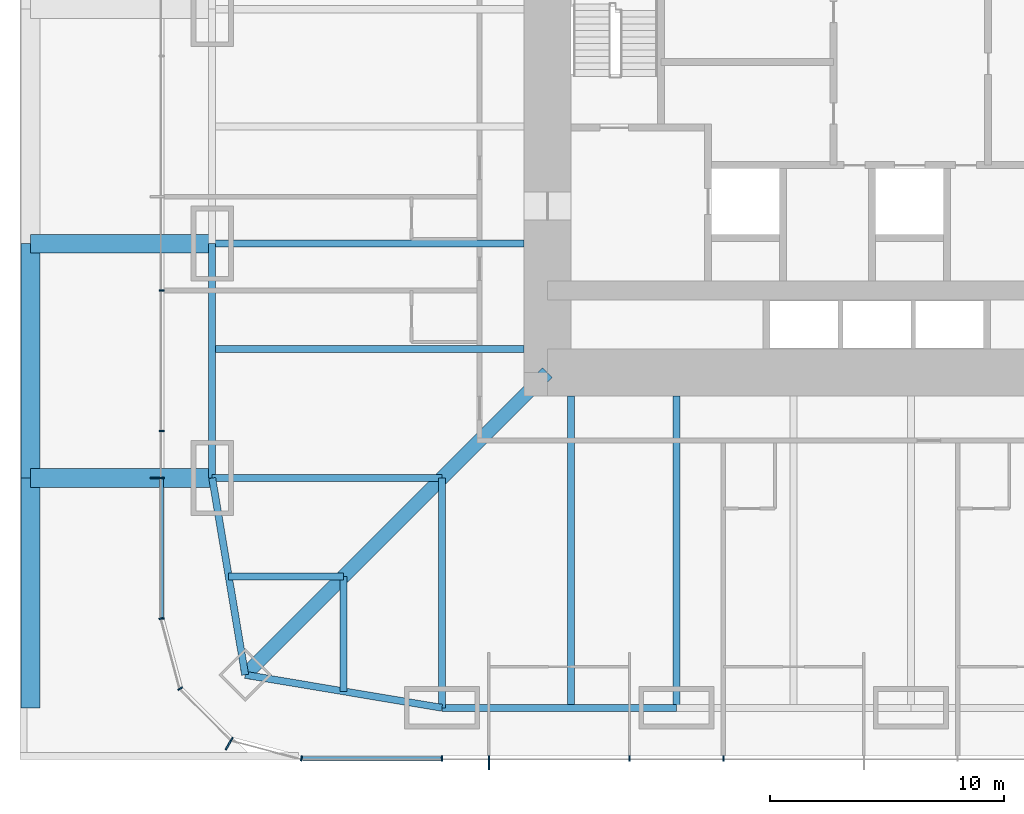
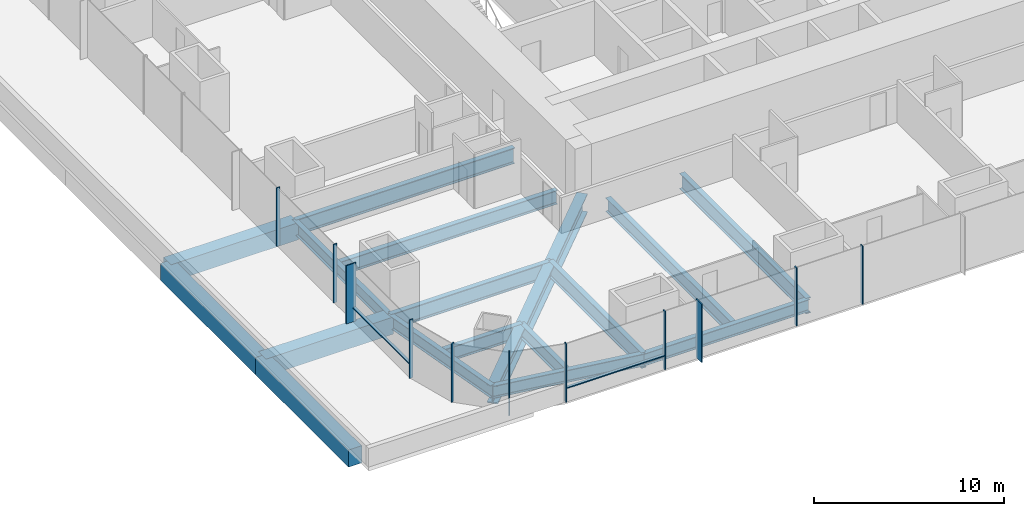
# One storey, part 2 of 20: 17 beams, 13 members, 3 elements without a shape of their own.
"""IFC4 building model written with IfcOpenShell, lengths in metres."""

from ifc_helpers import new_model, si_unit, direction, frame, origin, origin_2d, place, context, subcontext, project, spatial, rectangle, i_section, extrude, material, material_profile, profile_set, type_object, element, aggregate, save


model = new_model("IFC4")

# Units and contexts
model_context = context("Model", 3, precision=1e-05, world=origin(), true_north=direction((0.0, 1.0)))
body_context = subcontext(model_context, "Body", "Model", "MODEL_VIEW")
ifc_project = project(units=[si_unit("LENGTHUNIT", "METRE"), si_unit("AREAUNIT", "SQUARE_METRE"), si_unit("VOLUMEUNIT", "CUBIC_METRE"), si_unit("PLANEANGLEUNIT", "RADIAN"), si_unit("MASSUNIT", "GRAM", prefix="KILO")], contexts=[model_context])

# Site, building, storey
site_placement = place(None, origin())
site = spatial("IfcSite", under=ifc_project, at=site_placement, CompositionType="ELEMENT")
building_placement = place(site_placement, origin())
building = spatial("IfcBuilding", under=site, at=building_placement, Name="Khuree Lantern Residences", CompositionType="ELEMENT")
storey_placement = place(building_placement, frame((0.0, 0.0, 21.0)))
storey = spatial("IfcBuildingStorey", under=building, at=storey_placement, Name="L04", CompositionType="ELEMENT", Elevation=21.0)

# Beams
ifc_material_1 = material(Name="Steel S355", Category="steel")
ifc_material_profile_1 = material_profile(ifc_material_1, i_section(OverallWidth=0.300048828125, OverallDepth=0.889892578125, WebThickness=0.01611328125, FlangeThickness=0.030029296875, FilletRadius=0.030029296875, at=origin_2d()), Name="HE 900 A")
ifc_profile_set_1 = profile_set([ifc_material_profile_1], Name="Steel S355")
beam_type_1 = type_object("IfcBeamType", Name="B-11 SECONDARY BEAM HE 900 A", PredefinedType="BEAM", material=ifc_profile_set_1)
beam_1_placement = place(storey_placement, frame((-14.5, -29.800048828125, -0.695068359375), z_axis=(0.0, 1.0, 0.0), x_axis=(-1.0, 0.0, 0.0)))
element("IfcBeam", 1, at=beam_1_placement, inside=storey, type_object=beam_type_1, Name="Secondary beam S5", PredefinedType="BEAM", context=body_context, shape_type="SweptSolid", body=[
    extrude(i_section(OverallWidth=0.300048828125, OverallDepth=0.889892578125, WebThickness=0.01611328125, FlangeThickness=0.030029296875, FilletRadius=0.030029296875, at=origin_2d()), origin(), (0.0, 0.0, 1.0), 13.300048828125),
])
for number, where, z_axis, x_axis, name in (
    (2, (-24.197021484375, -29.09716796875, -0.695068359375), (0.0, 1.0, 0.0), (-1.0, 0.0, 0.0), "Secondary beam S6"),
    (3, (-29.09716796875, -24.197021484375, -0.695068359375), (1.0, 0.0, 0.0), (0.0, 1.0, 0.0), "Secondary beam W1"),
):
    element("IfcBeam", number, at=place(storey_placement, frame(where, z_axis=z_axis, x_axis=x_axis)), inside=storey, type_object=beam_type_1, Name=name, PredefinedType="BEAM", context=body_context, shape_type="SweptSolid", body=[
        extrude(i_section(OverallWidth=0.300048828125, OverallDepth=0.889892578125, WebThickness=0.01611328125, FlangeThickness=0.030029296875, FilletRadius=0.030029296875, at=origin_2d()), origin(), (0.0, 0.0, 1.0), 4.900146484375),
    ])
beam_2_placement = place(storey_placement, frame((-29.800048828125, -14.5, -0.695068359375), z_axis=(1.0, 0.0, 0.0), x_axis=(0.0, 1.0, 0.0)))
element("IfcBeam", 4, at=beam_2_placement, inside=storey, type_object=beam_type_1, Name="Secondary beam W2", PredefinedType="BEAM", context=body_context, shape_type="SweptSolid", body=[
    extrude(i_section(OverallWidth=0.300048828125, OverallDepth=0.889892578125, WebThickness=0.01611328125, FlangeThickness=0.030029296875, FilletRadius=0.030029296875, at=origin_2d()), origin(), (0.0, 0.0, 1.0), 13.300048828125),
])
ifc_material_profile_2 = material_profile(ifc_material_1, i_section(OverallWidth=0.300048828125, OverallDepth=0.7900390625, WebThickness=0.014892578125, FlangeThickness=0.028076171875, FilletRadius=0.030029296875, at=origin_2d()), Name="HE 800 A")
ifc_profile_set_2 = profile_set([ifc_material_profile_2], Name="Steel S355")
beam_type_2 = type_object("IfcBeamType", Name="E-11 SPANDREL BEAM HE 800 A", PredefinedType="SPANDREL", material=ifc_profile_set_2)
beam_3_placement = place(storey_placement, frame((-10.0, -29.800048828125, -0.64501953125), z_axis=(-1.0, 0.0, 0.0), x_axis=(0.0, -1.0, 0.0)))
element("IfcBeam", 5, at=beam_3_placement, inside=storey, type_object=beam_type_2, Name="Spandrel beam S5", PredefinedType="SPANDREL", context=body_context, shape_type="SweptSolid", body=[
    extrude(i_section(OverallWidth=0.300048828125, OverallDepth=0.7900390625, WebThickness=0.014892578125, FlangeThickness=0.028076171875, FilletRadius=0.030029296875, at=origin_2d()), origin(), (0.0, 0.0, 1.0), 10.0),
])
for number, where, z_axis, x_axis, name in (
    (6, (-20.0, -29.800048828125, -0.64501953125), (-0.986260251158, 0.165199022349, 0.0), (-0.165199022349, -0.986260251158, 0.0), "Spandrel beam S6"),
    (7, (-28.39404296875, -28.39404296875, -0.64501953125), (-0.165199022349, 0.986260251158, 0.0), (-0.986260251158, -0.165199022349, 0.0), "Spandrel beam W1"),
):
    element("IfcBeam", number, at=place(storey_placement, frame(where, z_axis=z_axis, x_axis=x_axis)), inside=storey, type_object=beam_type_2, Name=name, PredefinedType="SPANDREL", context=body_context, shape_type="SweptSolid", body=[
        extrude(i_section(OverallWidth=0.300048828125, OverallDepth=0.7900390625, WebThickness=0.014892578125, FlangeThickness=0.028076171875, FilletRadius=0.030029296875, at=origin_2d()), origin(), (0.0, 0.0, 1.0), 8.510986328125),
    ])
beam_4_placement = place(storey_placement, frame((-29.800048828125, -20.0, -0.64501953125), z_axis=(0.0, 1.0, 0.0), x_axis=(-1.0, 0.0, 0.0)))
element("IfcBeam", 8, at=beam_4_placement, inside=storey, type_object=beam_type_2, Name="Spandrel beam W2", PredefinedType="SPANDREL", context=body_context, shape_type="SweptSolid", body=[
    extrude(i_section(OverallWidth=0.300048828125, OverallDepth=0.7900390625, WebThickness=0.014892578125, FlangeThickness=0.028076171875, FilletRadius=0.030029296875, at=origin_2d()), origin(), (0.0, 0.0, 1.0), 10.0),
])

# Curtain wall, member
ifc_material_2 = material(Name="Bronze anodised aluminium", Category="aluminium")
curtain_wall_type_1 = type_object("IfcCurtainWallType", Name="CW-T1 TOWER FACE CURTAIN WALL", PredefinedType="USERDEFINED", material=ifc_material_2)
curtain_wall_1_placement = place(storey_placement, origin())
curtain_wall_1 = element("IfcCurtainWall", 9, at=curtain_wall_1_placement, inside=storey, type_object=curtain_wall_type_1, Name="L04 WEST FACE CURTAIN WALL", ObjectType="Stick-built curtain wall", PredefinedType="USERDEFINED")
ifc_material_profile_3 = material_profile(ifc_material_2, rectangle(XDim=0.06494140625, YDim=0.60009765625, at=origin_2d()), Name="F1 65X600")
ifc_profile_set_3 = profile_set([ifc_material_profile_3], Name="Bronze anodised aluminium")
member_type_1 = type_object("IfcMemberType", Name="F1 BRONZE FIN MULLION TOWER 65X600", PredefinedType="MULLION", material=ifc_profile_set_3)
member_1_placement = place(storey_placement, frame((-32.14990234375, -20.0, 0.0), z_axis=(0.0, 0.0, 1.0), x_axis=(0.0, -1.0, 0.0)))
member_1 = element("IfcMember", 10, at=member_1_placement, type_object=member_type_1, Name="L04 WEST FACE FIN MULLION 42", PredefinedType="MULLION", context=body_context, shape_type="SweptSolid", body=[
    extrude(rectangle(XDim=0.06494140625, YDim=0.60009765625, at=origin_2d()), origin(), (0.0, 0.0, 1.0), 3.75),
])

curtain_wall_type_2 = type_object("IfcCurtainWallType", Name="CW-T2 TOWER CORNER CURTAIN WALL", PredefinedType="USERDEFINED", material=ifc_material_2)
curtain_wall_2_placement = place(storey_placement, origin())
curtain_wall_2 = element("IfcCurtainWall", 11, at=curtain_wall_2_placement, inside=storey, type_object=curtain_wall_type_2, Name="L04 SOUTH-WEST CORNER CURTAIN WALL", ObjectType="Faceted corner curtain wall", PredefinedType="USERDEFINED")
member_2_placement = place(storey_placement, frame((-29.074951171875, -31.326171875, 0.0), z_axis=(0.0, 0.0, 1.0), x_axis=(0.86602537092, -0.500000056923, 0.0)))
member_2 = element("IfcMember", 12, at=member_2_placement, type_object=member_type_1, Name="L04 SOUTH-WEST CORNER FIN MULLION 45", PredefinedType="MULLION", context=body_context, shape_type="SweptSolid", body=[
    extrude(rectangle(XDim=0.06494140625, YDim=0.60009765625, at=origin_2d()), origin(), (0.0, 0.0, 1.0), 3.75),
])

curtain_wall_3_placement = place(storey_placement, origin())
curtain_wall_3 = element("IfcCurtainWall", 13, at=curtain_wall_3_placement, inside=storey, type_object=curtain_wall_type_1, Name="L04 SOUTH FACE CURTAIN WALL", ObjectType="Stick-built curtain wall", PredefinedType="USERDEFINED")
member_3_placement = place(storey_placement, frame((-18.0, -32.14990234375, 0.0), z_axis=(0.0, 0.0, 1.0), x_axis=(1.0, 0.0, 0.0)))
member_3 = element("IfcMember", 14, at=member_3_placement, type_object=member_type_1, Name="L04 SOUTH FACE FIN MULLION 48", PredefinedType="MULLION", context=body_context, shape_type="SweptSolid", body=[
    extrude(rectangle(XDim=0.06494140625, YDim=0.60009765625, at=origin_2d()), origin(), (0.0, 0.0, 1.0), 3.75),
])

# Beams
ifc_material_profile_4 = material_profile(ifc_material_1, i_section(OverallWidth=0.302001953125, OverallDepth=1.008056640625, WebThickness=0.02099609375, FlangeThickness=0.0400390625, FilletRadius=0.030029296875, at=origin_2d()), Name="HE 1000 M")
ifc_profile_set_4 = profile_set([ifc_material_profile_4], Name="Steel S355")
beam_type_3 = type_object("IfcBeamType", Name="G-11 GIRDER HE 1000 M", PredefinedType="BEAM", material=ifc_profile_set_4)
beam_5_placement = place(storey_placement, frame((-10.0, -29.800048828125, -0.75390625), z_axis=(0.0, 1.0, 0.0), x_axis=(-1.0, 0.0, 0.0)))
element("IfcBeam", 15, at=beam_5_placement, inside=storey, type_object=beam_type_3, Name="Girder S4", PredefinedType="BEAM", context=body_context, shape_type="SweptSolid", body=[
    extrude(i_section(OverallWidth=0.302001953125, OverallDepth=1.008056640625, WebThickness=0.02099609375, FlangeThickness=0.0400390625, FilletRadius=0.030029296875, at=origin_2d()), origin(), (0.0, 0.0, 1.0), 13.300048828125),
])
for number, where, z_axis, x_axis, name in (
    (16, (-20.0, -29.800048828125, -0.75390625), (0.0, 1.0, 0.0), (-1.0, 0.0, 0.0), "Girder S5"),
    (17, (-29.800048828125, -20.0, -0.75390625), (1.0, 0.0, 0.0), (0.0, 1.0, 0.0), "Girder W1"),
):
    element("IfcBeam", number, at=place(storey_placement, frame(where, z_axis=z_axis, x_axis=x_axis)), inside=storey, type_object=beam_type_3, Name=name, PredefinedType="BEAM", context=body_context, shape_type="SweptSolid", body=[
        extrude(i_section(OverallWidth=0.302001953125, OverallDepth=1.008056640625, WebThickness=0.02099609375, FlangeThickness=0.0400390625, FilletRadius=0.030029296875, at=origin_2d()), origin(), (0.0, 0.0, 1.0), 9.800048828125),
    ])
beam_6_placement = place(storey_placement, frame((-29.800048828125, -10.0, -0.75390625), z_axis=(1.0, 0.0, 0.0), x_axis=(0.0, 1.0, 0.0)))
element("IfcBeam", 18, at=beam_6_placement, inside=storey, type_object=beam_type_3, Name="Girder W2", PredefinedType="BEAM", context=body_context, shape_type="SweptSolid", body=[
    extrude(i_section(OverallWidth=0.302001953125, OverallDepth=1.008056640625, WebThickness=0.02099609375, FlangeThickness=0.0400390625, FilletRadius=0.030029296875, at=origin_2d()), origin(), (0.0, 0.0, 1.0), 13.300048828125),
])
ifc_material_profile_5 = material_profile(ifc_material_1, i_section(OverallWidth=0.60009765625, OverallDepth=1.199951171875, WebThickness=0.030029296875, FlangeThickness=0.06005859375, at=origin_2d()), Name="WELDED I 1200X600X30X60")
ifc_profile_set_5 = profile_set([ifc_material_profile_5], Name="Steel S355")
beam_type_4 = type_object("IfcBeamType", Name="GD-11 CORNER GIRDER WELDED I 1200X600X30X60", PredefinedType="BEAM", material=ifc_profile_set_5)
beam_7_placement = place(storey_placement, frame((-28.39404296875, -28.39404296875, -0.85009765625), z_axis=(0.707106781187, 0.707106781187, 0.0), x_axis=(-0.707106781187, 0.707106781187, 0.0)))
element("IfcBeam", 19, at=beam_7_placement, inside=storey, type_object=beam_type_4, Name="Corner girder SW", PredefinedType="BEAM", context=body_context, shape_type="SweptSolid", body=[
    extrude(i_section(OverallWidth=0.60009765625, OverallDepth=1.199951171875, WebThickness=0.030029296875, FlangeThickness=0.06005859375, at=origin_2d()), origin(), (0.0, 0.0, 1.0), 18.23486328125),
])

# Member
ifc_material_profile_6 = material_profile(ifc_material_2, rectangle(XDim=0.06494140625, YDim=0.219970703125, at=origin_2d()), Name="M1 65X220")
ifc_profile_set_6 = profile_set([ifc_material_profile_6], Name="Bronze anodised aluminium")
member_type_2 = type_object("IfcMemberType", Name="M1 BRONZE MULLION TOWER 65X220", PredefinedType="MULLION", material=ifc_profile_set_6)
member_4_placement = place(storey_placement, frame((-31.9599609375, -12.0, 0.0), z_axis=(0.0, 0.0, 1.0), x_axis=(0.0, -1.0, 0.0)))
member_4 = element("IfcMember", 20, at=member_4_placement, type_object=member_type_2, Name="L04 WEST FACE MULLION 40", PredefinedType="MULLION", context=body_context, shape_type="SweptSolid", body=[
    extrude(rectangle(XDim=0.06494140625, YDim=0.219970703125, at=origin_2d()), origin(), (0.0, 0.0, 1.0), 3.75),
])

member_5_placement = place(storey_placement, frame((-31.9599609375, -18.0, 0.0), z_axis=(0.0, 0.0, 1.0), x_axis=(0.0, -1.0, 0.0)))
member_5 = element("IfcMember", 21, at=member_5_placement, type_object=member_type_2, Name="L04 WEST FACE MULLION 41", PredefinedType="MULLION", context=body_context, shape_type="SweptSolid", body=[
    extrude(rectangle(XDim=0.06494140625, YDim=0.219970703125, at=origin_2d()), origin(), (0.0, 0.0, 1.0), 3.75),
])

member_6_placement = place(storey_placement, frame((-31.961669921875, -25.994873046875, 0.0), z_axis=(0.0, 0.0, 1.0), x_axis=(0.130526257387, -0.991444852794, 0.0)))
member_6 = element("IfcMember", 22, at=member_6_placement, type_object=member_type_2, Name="L04 SOUTH-WEST CORNER MULLION 43", PredefinedType="MULLION", context=body_context, shape_type="SweptSolid", body=[
    extrude(rectangle(XDim=0.06494140625, YDim=0.219970703125, at=origin_2d()), origin(), (0.0, 0.0, 1.0), 3.75),
])

member_7_placement = place(storey_placement, frame((-31.16162109375, -28.97998046875, 0.0), z_axis=(0.0, 0.0, 1.0), x_axis=(0.500000056923, -0.86602537092, 0.0)))
member_7 = element("IfcMember", 23, at=member_7_placement, type_object=member_type_2, Name="L04 SOUTH-WEST CORNER MULLION 44", PredefinedType="MULLION", context=body_context, shape_type="SweptSolid", body=[
    extrude(rectangle(XDim=0.06494140625, YDim=0.219970703125, at=origin_2d()), origin(), (0.0, 0.0, 1.0), 3.75),
])

aggregate(curtain_wall_2, [member_6, member_7, member_2])

member_8_placement = place(storey_placement, frame((-25.994873046875, -31.961669921875, 0.0), z_axis=(0.0, 0.0, 1.0), x_axis=(0.991444852794, -0.130526257387, 0.0)))
member_8 = element("IfcMember", 24, at=member_8_placement, type_object=member_type_2, Name="L04 SOUTH FACE MULLION 46", PredefinedType="MULLION", context=body_context, shape_type="SweptSolid", body=[
    extrude(rectangle(XDim=0.06494140625, YDim=0.219970703125, at=origin_2d()), origin(), (0.0, 0.0, 1.0), 3.75),
])

member_9_placement = place(storey_placement, frame((-20.0, -31.9599609375, 0.0), z_axis=(0.0, 0.0, 1.0), x_axis=(1.0, 0.0, 0.0)))
member_9 = element("IfcMember", 25, at=member_9_placement, type_object=member_type_2, Name="L04 SOUTH FACE MULLION 47", PredefinedType="MULLION", context=body_context, shape_type="SweptSolid", body=[
    extrude(rectangle(XDim=0.06494140625, YDim=0.219970703125, at=origin_2d()), origin(), (0.0, 0.0, 1.0), 3.75),
])

member_10_placement = place(storey_placement, frame((-12.0, -31.9599609375, 0.0), z_axis=(0.0, 0.0, 1.0), x_axis=(1.0, 0.0, 0.0)))
member_10 = element("IfcMember", 26, at=member_10_placement, type_object=member_type_2, Name="L04 SOUTH FACE MULLION 49", PredefinedType="MULLION", context=body_context, shape_type="SweptSolid", body=[
    extrude(rectangle(XDim=0.06494140625, YDim=0.219970703125, at=origin_2d()), origin(), (0.0, 0.0, 1.0), 3.75),
])

member_11_placement = place(storey_placement, frame((-8.0, -31.9599609375, 0.0), z_axis=(0.0, 0.0, 1.0), x_axis=(1.0, 0.0, 0.0)))
member_11 = element("IfcMember", 27, at=member_11_placement, type_object=member_type_2, Name="L04 SOUTH FACE MULLION 50", PredefinedType="MULLION", context=body_context, shape_type="SweptSolid", body=[
    extrude(rectangle(XDim=0.06494140625, YDim=0.219970703125, at=origin_2d()), origin(), (0.0, 0.0, 1.0), 3.75),
])

# Beams
ifc_material_3 = material(Name="Concrete C40/50", Category="concrete")
ifc_material_profile_7 = material_profile(ifc_material_3, rectangle(XDim=0.800048828125, YDim=1.10009765625, at=origin_2d()), Name="RC 800X1100")
ifc_profile_set_7 = profile_set([ifc_material_profile_7], Name="Concrete C40/50")
beam_type_5 = type_object("IfcBeamType", Name="RB4 PODIUM ROOF BEAM RC 800X1100", PredefinedType="BEAM", material=ifc_profile_set_7)
for number, where, z_axis, x_axis, name in (
    (28, (-37.550048828125, -20.0, -0.800048828125), (1.0, 0.0, 0.0), (0.0, 1.0, 0.0), "Podium roof beam RB-1"),
    (29, (-37.550048828125, -10.0, -0.800048828125), (1.0, 0.0, 0.0), (0.0, 1.0, 0.0), "Podium roof beam RB-3"),
):
    element("IfcBeam", number, at=place(storey_placement, frame(where, z_axis=z_axis, x_axis=x_axis)), inside=storey, type_object=beam_type_5, Name=name, PredefinedType="BEAM", context=body_context, shape_type="SweptSolid", body=[
        extrude(rectangle(XDim=0.800048828125, YDim=1.10009765625, at=origin_2d()), origin(), (0.0, 0.0, 1.0), 7.75),
    ])
beam_8_placement = place(storey_placement, frame((-37.550048828125, -29.800048828125, -0.800048828125), z_axis=(0.0, 1.0, 0.0), x_axis=(-1.0, 0.0, 0.0)))
element("IfcBeam", 30, at=beam_8_placement, inside=storey, type_object=beam_type_5, Name="Podium roof beam RB-27", PredefinedType="BEAM", context=body_context, shape_type="SweptSolid", body=[
    extrude(rectangle(XDim=0.800048828125, YDim=1.10009765625, at=origin_2d()), origin(), (0.0, 0.0, 1.0), 9.800048828125),
])
beam_9_placement = place(storey_placement, frame((-37.550048828125, -20.0, -0.800048828125), z_axis=(0.0, 1.0, 0.0), x_axis=(-1.0, 0.0, 0.0)))
element("IfcBeam", 31, at=beam_9_placement, inside=storey, type_object=beam_type_5, Name="Podium roof beam RB-28", PredefinedType="BEAM", context=body_context, shape_type="SweptSolid", body=[
    extrude(rectangle(XDim=0.800048828125, YDim=1.10009765625, at=origin_2d()), origin(), (0.0, 0.0, 1.0), 10.0),
])

# Member
ifc_material_profile_8 = material_profile(ifc_material_2, rectangle(XDim=0.179931640625, YDim=0.06494140625, at=origin_2d()), Name="T1 180X65")
ifc_profile_set_8 = profile_set([ifc_material_profile_8], Name="Bronze anodised aluminium")
member_type_3 = type_object("IfcMemberType", Name="TRANSOM T1 TOWER 180X65", PredefinedType="USERDEFINED", material=ifc_profile_set_8)
member_12_placement = place(storey_placement, frame((-31.969970703125, -20.032470703125, 0.89990234375), z_axis=(0.0, -1.0, 0.0), x_axis=(1.0, 0.0, 0.0)))
member_12 = element("IfcMember", 32, at=member_12_placement, type_object=member_type_3, Name="L04 WEST FACE TRANSOM 42.1", ObjectType="Transom", PredefinedType="USERDEFINED", context=body_context, shape_type="SweptSolid", body=[
    extrude(rectangle(XDim=0.179931640625, YDim=0.06494140625, at=origin_2d()), origin(), (0.0, 0.0, 1.0), 5.9189453125),
])

aggregate(curtain_wall_1, [member_4, member_5, member_1, member_12])

member_13_placement = place(storey_placement, frame((-25.951416015625, -31.969970703125, 0.89990234375), z_axis=(1.0, 0.0, 0.0), x_axis=(0.0, 1.0, 0.0)))
member_13 = element("IfcMember", 33, at=member_13_placement, type_object=member_type_3, Name="L04 SOUTH FACE TRANSOM 46.1", ObjectType="Transom", PredefinedType="USERDEFINED", context=body_context, shape_type="SweptSolid", body=[
    extrude(rectangle(XDim=0.179931640625, YDim=0.06494140625, at=origin_2d()), origin(), (0.0, 0.0, 1.0), 5.9189453125),
])

aggregate(curtain_wall_3, [member_8, member_9, member_3, member_10, member_11, member_13])

save(model, "model.ifc")
